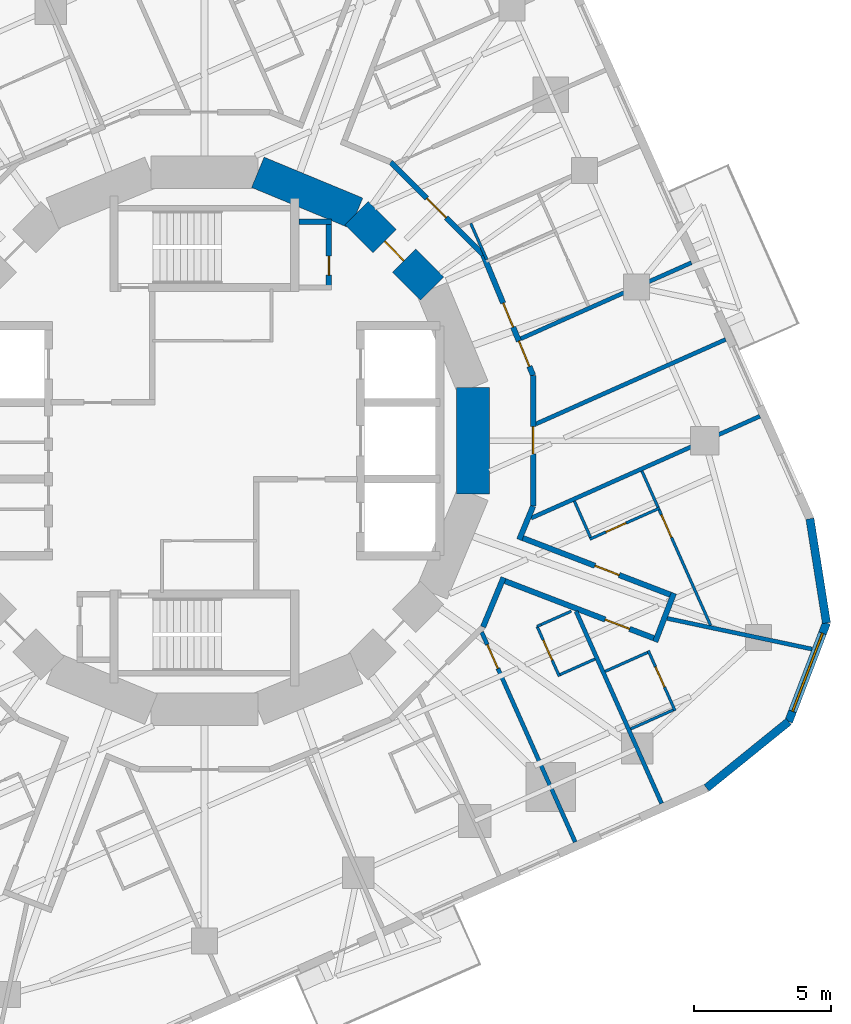
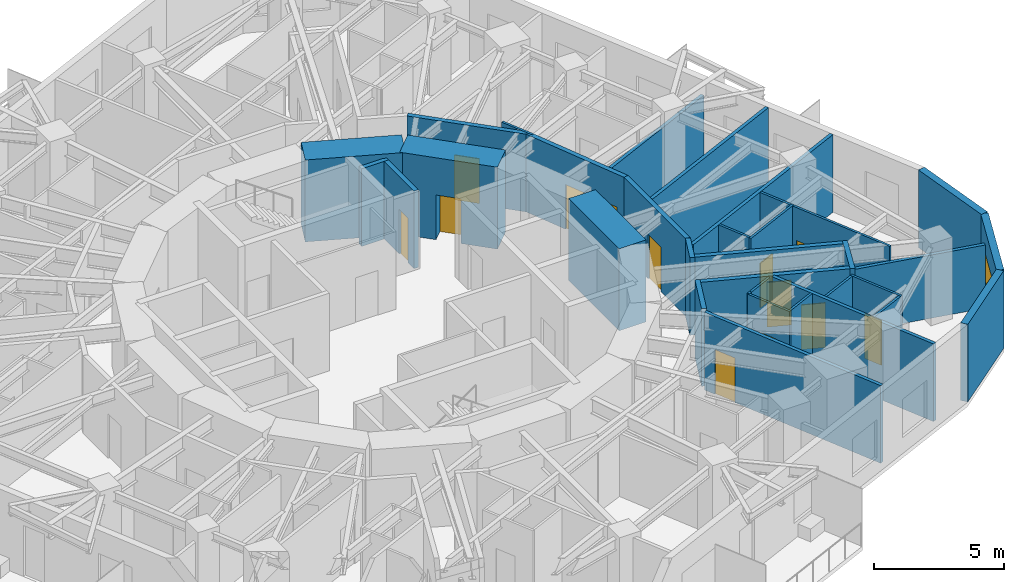
# One storey, part 8 of 12: 34 walls, 13 doors, 1 window, 14 openings.
"""IFC4 building model written with IfcOpenShell, lengths in metres."""

from ifc_helpers import new_model, si_unit, direction, frame, frame_2d, origin, place, context, subcontext, project, spatial, rectangle, extrude, material, layer, layer_set, type_object, element, fill, save


model = new_model("IFC4")

# Units and contexts
model_context = context("Model", 3, precision=1e-05, world=origin(), true_north=direction((0.0, 1.0)))
body_context = subcontext(model_context, "Body", "Model", "MODEL_VIEW")
ifc_project = project(units=[si_unit("LENGTHUNIT", "METRE"), si_unit("AREAUNIT", "SQUARE_METRE"), si_unit("VOLUMEUNIT", "CUBIC_METRE"), si_unit("PLANEANGLEUNIT", "RADIAN"), si_unit("MASSUNIT", "GRAM", prefix="KILO")], contexts=[model_context])

# Site, building, storey
site_placement = place(None, origin())
site = spatial("IfcSite", under=ifc_project, at=site_placement, CompositionType="ELEMENT")
building_placement = place(site_placement, origin())
building = spatial("IfcBuilding", under=site, at=building_placement, Name="Nakasero Lantern House", CompositionType="ELEMENT")
storey_placement = place(building_placement, frame((0.0, 0.0, 194.0)))
storey = spatial("IfcBuildingStorey", under=building, at=storey_placement, Name="L47", CompositionType="ELEMENT", Elevation=194.0)

# Wall, opening, door
ifc_material_1 = material(Name="Concrete C50/60", Category="concrete")
ifc_layer_1 = layer(ifc_material_1, 1.199951171875)
ifc_layer_set_1 = layer_set([ifc_layer_1], Name="Core wall 1200")
wall_type_1 = type_object("IfcWallType", Name="Core wall 1200", PredefinedType="SHEAR", material=ifc_layer_set_1)
wall_1_placement = place(storey_placement, frame((8.314697265625, 5.5556640625, 0.0), z_axis=(0.0, 0.0, 1.0), x_axis=(-0.707106781187, 0.707106781187, 0.0)))
wall_1 = element("IfcWall", 1, at=wall_1_placement, inside=storey, type_object=wall_type_1, Name="Core wall L47 facet 2", PredefinedType="SHEAR", context=body_context, shape_type="SweptSolid", body=[
    extrude(rectangle(XDim=3.90185546875, YDim=1.199951171875, at=frame_2d((1.950927734375, 0.0))), origin(), (0.0, 0.0, 1.0), 3.85009765625),
])
opening_1_placement = place(wall_1_placement, frame((1.450927734375, 0.0, 0.0)))
opening_1 = element("IfcOpeningElement", 2, at=opening_1_placement, cuts=wall_1, Name="Opening D05", PredefinedType="OPENING", context=body_context, shape_type="SweptSolid", body=[
    extrude(rectangle(XDim=1.0, YDim=2.10009765625, at=frame_2d((0.5, 1.050048828125))), frame((0.0, 0.619873046875, 0.0), z_axis=(0.0, -1.0, 0.0), x_axis=(1.0, 0.0, 0.0)), (0.0, 0.0, 1.0), 1.239990234375),
])
ifc_material_2 = material(Name="Timber C24", Category="wood")
door_type_1 = type_object("IfcDoorType", Name="Core door FD60S 1000", OperationType="SINGLE_SWING_LEFT", PredefinedType="DOOR", material=ifc_material_2)
door_1_placement = place(opening_1_placement, origin())
door_1 = element("IfcDoor", 3, at=door_1_placement, inside=storey, type_object=door_type_1, Name="Door L47 D-CORE02", OperationType="SINGLE_SWING_LEFT", OverallHeight=2.10009765625, OverallWidth=1.0, PredefinedType="DOOR", context=body_context, shape_type="SweptSolid", body=[
    extrude(rectangle(XDim=1.0, YDim=2.10009765625, at=frame_2d((0.5, 1.050048828125))), frame((0.0, 0.02490234375, 0.0), z_axis=(0.0, -1.0, 0.0), x_axis=(1.0, 0.0, 0.0)), (0.0, 0.0, 1.0), 0.050048828125),
])
fill(opening_1, door_1)

# Walls
for number, where, z_axis, x_axis, name in (
    (4, (5.5556640625, 8.314697265625, 0.0), (0.0, 0.0, 1.0), (-0.923876507187, 0.382690736062, 0.0), "Core wall L47 facet 3"),
    (5, (9.807861328125, -1.950927734375, 0.0), (0.0, 0.0, 1.0), (0.0, 1.0, 0.0), "Core wall L47 facet 16"),
):
    element("IfcWall", number, at=place(storey_placement, frame(where, z_axis=z_axis, x_axis=x_axis)), inside=storey, type_object=wall_type_1, Name=name, PredefinedType="SHEAR", context=body_context, shape_type="SweptSolid", body=[
        extrude(rectangle(XDim=3.90185546875, YDim=1.199951171875, at=frame_2d((1.950927734375, 0.0))), origin(), (0.0, 0.0, 1.0), 3.85009765625),
    ])

# Wall, opening, door
ifc_material_3 = material(Name="Blockwork", Category="masonry")
ifc_layer_2 = layer(ifc_material_3, 0.199951171875)
ifc_layer_set_2 = layer_set([ifc_layer_2], Name="Corridor wall 200")
wall_type_2 = type_object("IfcWallType", Name="Corridor wall 200", PredefinedType="PARTITIONING", material=ifc_layer_set_2)
wall_2_placement = place(storey_placement, frame((12.0078125, 2.388427734375, 0.0), z_axis=(0.0, 0.0, 1.0), x_axis=(0.0, -1.0, 0.0)))
wall_2 = element("IfcWall", 6, at=wall_2_placement, inside=storey, type_object=wall_type_2, Name="Corridor wall L47 RC00a", PredefinedType="PARTITIONING", context=body_context, shape_type="SweptSolid", body=[
    extrude(rectangle(XDim=4.77685546875, YDim=0.199951171875, at=frame_2d((2.388427734375, 0.0))), origin(), (0.0, 0.0, 1.0), 3.64990234375),
])
opening_2_placement = place(wall_2_placement, frame((1.8701171875, 0.0, 0.0)))
opening_2 = element("IfcOpeningElement", 7, at=opening_2_placement, cuts=wall_2, Name="Opening D03", PredefinedType="OPENING", context=body_context, shape_type="SweptSolid", body=[
    extrude(rectangle(XDim=1.0, YDim=2.10009765625, at=frame_2d((0.5, 1.050048828125))), frame((0.0, 0.119873046875, 0.0), z_axis=(0.0, -1.0, 0.0), x_axis=(1.0, 0.0, 0.0)), (0.0, 0.0, 1.0), 0.239990234375),
])
ifc_material_4 = material(Name="Timber C24", Category="wood")
door_type_2 = type_object("IfcDoorType", Name="Lounge door FD30S 1000", OperationType="SINGLE_SWING_LEFT", PredefinedType="DOOR", material=ifc_material_4)
door_2_placement = place(opening_2_placement, origin())
door_2 = element("IfcDoor", 8, at=door_2_placement, inside=storey, type_object=door_type_2, Name="Door L47 DK0", OperationType="SINGLE_SWING_LEFT", OverallHeight=2.10009765625, OverallWidth=1.0, PredefinedType="DOOR", context=body_context, shape_type="SweptSolid", body=[
    extrude(rectangle(XDim=1.0, YDim=2.10009765625, at=frame_2d((0.5, 1.050048828125))), frame((0.0, 0.02490234375, 0.0), z_axis=(0.0, -1.0, 0.0), x_axis=(1.0, 0.0, 0.0)), (0.0, 0.0, 1.0), 0.050048828125),
])
fill(opening_2, door_2)

# Walls
wall_3_placement = place(storey_placement, frame((12.0078125, -2.388427734375, 0.0), z_axis=(0.0, 0.0, 1.0), x_axis=(-0.382650385623, -0.923893220228, 0.0)))
element("IfcWall", 9, at=wall_3_placement, inside=storey, type_object=wall_type_2, Name="Corridor wall L47 RC01a", PredefinedType="PARTITIONING", context=body_context, shape_type="SweptSolid", body=[
    extrude(rectangle(XDim=1.323974609375, YDim=0.199951171875, at=frame_2d((0.662109375, 0.0))), origin(), (0.0, 0.0, 1.0), 3.64990234375),
])
wall_4_placement = place(storey_placement, frame((10.927001953125, -4.997802734375, 0.0), z_axis=(0.0, 0.0, 1.0), x_axis=(-0.382679353297, -0.923881222106, 0.0)))
element("IfcWall", 10, at=wall_4_placement, inside=storey, type_object=wall_type_2, Name="Corridor wall L47 RC01b", PredefinedType="PARTITIONING", context=body_context, shape_type="SweptSolid", body=[
    extrude(rectangle(XDim=1.952880859375, YDim=0.199951171875, at=frame_2d((0.9765625, 0.0))), origin(), (0.0, 0.0, 1.0), 3.64990234375),
])

# Wall, opening, door
wall_5_placement = place(storey_placement, frame((6.802001953125, 10.1796875, 0.0), z_axis=(0.0, 0.0, 1.0), x_axis=(0.707106781187, -0.707106781187, 0.0)))
wall_5 = element("IfcWall", 11, at=wall_5_placement, inside=storey, type_object=wall_type_2, Name="Corridor wall L47 RC14a", PredefinedType="PARTITIONING", context=body_context, shape_type="SweptSolid", body=[
    extrude(rectangle(XDim=4.77685546875, YDim=0.199951171875, at=frame_2d((2.388427734375, 0.0))), origin(), (0.0, 0.0, 1.0), 3.64990234375),
])
opening_3_placement = place(wall_5_placement, frame((1.8701171875, 0.0, 0.0)))
opening_3 = element("IfcOpeningElement", 12, at=opening_3_placement, cuts=wall_5, Name="Opening D14", PredefinedType="OPENING", context=body_context, shape_type="SweptSolid", body=[
    extrude(rectangle(XDim=1.0, YDim=2.10009765625, at=frame_2d((0.5, 1.050048828125))), frame((0.0, 0.119873046875, 0.0), z_axis=(0.0, -1.0, 0.0), x_axis=(1.0, 0.0, 0.0)), (0.0, 0.0, 1.0), 0.239990234375),
])
ifc_material_5 = material(Name="Timber C24", Category="wood")
door_type_3 = type_object("IfcDoorType", Name="Cluster entrance door FD30S 1000", OperationType="SINGLE_SWING_LEFT", PredefinedType="DOOR", material=ifc_material_5)
door_3_placement = place(opening_3_placement, origin())
door_3 = element("IfcDoor", 13, at=door_3_placement, inside=storey, type_object=door_type_3, Name="Door L47 D0-04", OperationType="SINGLE_SWING_LEFT", OverallHeight=2.10009765625, OverallWidth=1.0, PredefinedType="DOOR", context=body_context, shape_type="SweptSolid", body=[
    extrude(rectangle(XDim=1.0, YDim=2.10009765625, at=frame_2d((0.5, 1.050048828125))), frame((0.0, 0.02490234375, 0.0), z_axis=(0.0, -1.0, 0.0), x_axis=(1.0, 0.0, 0.0)), (0.0, 0.0, 1.0), 0.050048828125),
])
fill(opening_3, door_3)

# Wall, openings, doors
wall_6_placement = place(storey_placement, frame((10.1796875, 6.802001953125, 0.0), z_axis=(0.0, 0.0, 1.0), x_axis=(0.382676767893, -0.923882292998, 0.0)))
wall_6 = element("IfcWall", 14, at=wall_6_placement, inside=storey, type_object=wall_type_2, Name="Corridor wall L47 RC15a", PredefinedType="PARTITIONING", context=body_context, shape_type="SweptSolid", body=[
    extrude(rectangle(XDim=4.777099609375, YDim=0.199951171875, at=frame_2d((2.388671875, 0.0))), origin(), (0.0, 0.0, 1.0), 3.64990234375),
])
opening_4_placement = place(wall_6_placement, frame((1.919921875, 0.0, 0.0)))
opening_4 = element("IfcOpeningElement", 15, at=opening_4_placement, cuts=wall_6, Name="Opening D01", PredefinedType="OPENING", context=body_context, shape_type="SweptSolid", body=[
    extrude(rectangle(XDim=0.949951171875, YDim=2.10009765625, at=frame_2d((0.47509765625, 1.050048828125))), frame((0.0, 0.119873046875, 0.0), z_axis=(0.0, -1.0, 0.0), x_axis=(1.0, 0.0, 0.0)), (0.0, 0.0, 1.0), 0.239990234375),
])
opening_5_placement = place(wall_6_placement, frame((3.419921875, 0.0, 0.0)))
opening_5 = element("IfcOpeningElement", 16, at=opening_5_placement, cuts=wall_6, Name="Opening D03", PredefinedType="OPENING", context=body_context, shape_type="SweptSolid", body=[
    extrude(rectangle(XDim=1.0, YDim=2.10009765625, at=frame_2d((0.5, 1.050048828125))), frame((0.0, 0.119873046875, 0.0), z_axis=(0.0, -1.0, 0.0), x_axis=(1.0, 0.0, 0.0)), (0.0, 0.0, 1.0), 0.239990234375),
])
ifc_material_6 = material(Name="Timber C24", Category="wood")
door_type_4 = type_object("IfcDoorType", Name="Bedroom door FD30S 950", OperationType="SINGLE_SWING_LEFT", PredefinedType="DOOR", material=ifc_material_6)
door_4_placement = place(opening_4_placement, origin())
door_4 = element("IfcDoor", 17, at=door_4_placement, inside=storey, type_object=door_type_4, Name="Door L47 D0-03", OperationType="SINGLE_SWING_RIGHT", OverallHeight=2.10009765625, OverallWidth=0.949951171875, PredefinedType="DOOR", context=body_context, shape_type="SweptSolid", body=[
    extrude(rectangle(XDim=0.949951171875, YDim=2.10009765625, at=frame_2d((0.47509765625, 1.050048828125))), frame((0.0, 0.02490234375, 0.0), z_axis=(0.0, -1.0, 0.0), x_axis=(1.0, 0.0, 0.0)), (0.0, 0.0, 1.0), 0.050048828125),
])
fill(opening_4, door_4)
door_5_placement = place(opening_5_placement, origin())
door_5 = element("IfcDoor", 18, at=door_5_placement, inside=storey, type_object=door_type_2, Name="Door L47 DK0-1", OperationType="SINGLE_SWING_RIGHT", OverallHeight=2.10009765625, OverallWidth=1.0, PredefinedType="DOOR", context=body_context, shape_type="SweptSolid", body=[
    extrude(rectangle(XDim=1.0, YDim=2.10009765625, at=frame_2d((0.5, 1.050048828125))), frame((0.0, 0.02490234375, 0.0), z_axis=(0.0, -1.0, 0.0), x_axis=(1.0, 0.0, 0.0)), (0.0, 0.0, 1.0), 0.050048828125),
])
fill(opening_5, door_5)

# Wall, opening, door
wall_7_placement = place(storey_placement, frame((10.888671875, -5.09033203125, 0.0), z_axis=(0.0, 0.0, 1.0), x_axis=(0.933587089798, -0.35835059057, 0.0)))
wall_7 = element("IfcWall", 19, at=wall_7_placement, inside=storey, type_object=wall_type_2, Name="Corridor wall L47 SP3a", PredefinedType="PARTITIONING", context=body_context, shape_type="SweptSolid", body=[
    extrude(rectangle(XDim=6.117919921875, YDim=0.199951171875, at=frame_2d((3.05908203125, 0.0))), origin(), (0.0, 0.0, 1.0), 3.64990234375),
])
opening_6_placement = place(wall_7_placement, frame((4.02001953125, 0.0, 0.0)))
opening_6 = element("IfcOpeningElement", 20, at=opening_6_placement, cuts=wall_7, Name="Opening D01", PredefinedType="OPENING", context=body_context, shape_type="SweptSolid", body=[
    extrude(rectangle(XDim=0.949951171875, YDim=2.10009765625, at=frame_2d((0.47509765625, 1.050048828125))), frame((0.0, 0.119873046875, 0.0), z_axis=(0.0, -1.0, 0.0), x_axis=(1.0, 0.0, 0.0)), (0.0, 0.0, 1.0), 0.239990234375),
])
door_6_placement = place(opening_6_placement, origin())
door_6 = element("IfcDoor", 21, at=door_6_placement, inside=storey, type_object=door_type_4, Name="Door L47 D3-06", OperationType="SINGLE_SWING_RIGHT", OverallHeight=2.10009765625, OverallWidth=0.949951171875, PredefinedType="DOOR", context=body_context, shape_type="SweptSolid", body=[
    extrude(rectangle(XDim=0.949951171875, YDim=2.10009765625, at=frame_2d((0.47509765625, 1.050048828125))), frame((0.0, 0.02490234375, 0.0), z_axis=(0.0, -1.0, 0.0), x_axis=(1.0, 0.0, 0.0)), (0.0, 0.0, 1.0), 0.050048828125),
])
fill(opening_6, door_6)

wall_8_placement = place(storey_placement, frame((11.53955078125, -3.51904296875, 0.0), z_axis=(0.0, 0.0, 1.0), x_axis=(0.93357023507, -0.358394497993, 0.0)))
wall_8 = element("IfcWall", 22, at=wall_8_placement, inside=storey, type_object=wall_type_2, Name="Corridor wall L47 SP3b", PredefinedType="PARTITIONING", context=body_context, shape_type="SweptSolid", body=[
    extrude(rectangle(XDim=6.07373046875, YDim=0.199951171875, at=frame_2d((3.036865234375, 0.0))), origin(), (0.0, 0.0, 1.0), 3.64990234375),
])
opening_7_placement = place(wall_8_placement, frame((2.919921875, 0.0, 0.0)))
opening_7 = element("IfcOpeningElement", 23, at=opening_7_placement, cuts=wall_8, Name="Opening D01", PredefinedType="OPENING", context=body_context, shape_type="SweptSolid", body=[
    extrude(rectangle(XDim=0.949951171875, YDim=2.10009765625, at=frame_2d((0.47509765625, 1.050048828125))), frame((0.0, 0.119873046875, 0.0), z_axis=(0.0, -1.0, 0.0), x_axis=(1.0, 0.0, 0.0)), (0.0, 0.0, 1.0), 0.239990234375),
])
door_7_placement = place(opening_7_placement, origin())
door_7 = element("IfcDoor", 24, at=door_7_placement, inside=storey, type_object=door_type_4, Name="Door L47 D0-00", OperationType="SINGLE_SWING_RIGHT", OverallHeight=2.10009765625, OverallWidth=0.949951171875, PredefinedType="DOOR", context=body_context, shape_type="SweptSolid", body=[
    extrude(rectangle(XDim=0.949951171875, YDim=2.10009765625, at=frame_2d((0.47509765625, 1.050048828125))), frame((0.0, 0.02490234375, 0.0), z_axis=(0.0, -1.0, 0.0), x_axis=(1.0, 0.0, 0.0)), (0.0, 0.0, 1.0), 0.050048828125),
])
fill(opening_7, door_7)

# Wall
wall_9_placement = place(storey_placement, frame((16.47119140625, -7.34033203125, 0.0), z_axis=(0.0, 0.0, 1.0), x_axis=(0.3583504709, 0.933587135733, 0.0)))
element("IfcWall", 25, at=wall_9_placement, inside=storey, type_object=wall_type_2, Name="Corridor wall L47 SP3e", PredefinedType="PARTITIONING", context=body_context, shape_type="SweptSolid", body=[
    extrude(rectangle(XDim=1.900146484375, YDim=0.199951171875, at=frame_2d((0.9501953125, 0.0))), origin(), (0.0, 0.0, 1.0), 3.64990234375),
])

# Wall, opening, door
ifc_material_7 = material(Name="Blockwork", Category="masonry")
ifc_layer_3 = layer(ifc_material_7, 0.10009765625)
ifc_layer_set_3 = layer_set([ifc_layer_3], Name="En-suite wall 100")
wall_type_3 = type_object("IfcWallType", Name="En-suite wall 100", PredefinedType="PARTITIONING", material=ifc_layer_set_3)
wall_10_placement = place(storey_placement, frame((14.079345703125, -3.594482421875, 0.0), z_axis=(0.0, 0.0, 1.0), x_axis=(0.913534471978, 0.406761316386, 0.0)))
wall_10 = element("IfcWall", 26, at=wall_10_placement, inside=storey, type_object=wall_type_3, Name="En-suite wall L47 ES0-00", PredefinedType="PARTITIONING", context=body_context, shape_type="SweptSolid", body=[
    extrude(rectangle(XDim=2.800048828125, YDim=0.10009765625, at=frame_2d((1.39990234375, 0.0))), origin(), (0.0, 0.0, 1.0), 3.64990234375),
])
opening_8_placement = place(wall_10_placement, frame((0.64990234375, 0.0, 0.0)))
opening_8 = element("IfcOpeningElement", 27, at=opening_8_placement, cuts=wall_10, Name="Opening D02", PredefinedType="OPENING", context=body_context, shape_type="SweptSolid", body=[
    extrude(rectangle(XDim=0.800048828125, YDim=2.10009765625, at=frame_2d((0.39990234375, 1.050048828125))), frame((0.0, 0.070068359375, 0.0), z_axis=(0.0, -1.0, 0.0), x_axis=(1.0, 0.0, 0.0)), (0.0, 0.0, 1.0), 0.14013671875),
])
ifc_material_8 = material(Name="Timber C24", Category="wood")
door_type_5 = type_object("IfcDoorType", Name="En-suite door 800", OperationType="SINGLE_SWING_RIGHT", PredefinedType="DOOR", material=ifc_material_8)
door_8_placement = place(opening_8_placement, origin())
door_8 = element("IfcDoor", 28, at=door_8_placement, inside=storey, type_object=door_type_5, Name="Door L47 DE0-00", OperationType="SINGLE_SWING_LEFT", OverallHeight=2.10009765625, OverallWidth=0.800048828125, PredefinedType="DOOR", context=body_context, shape_type="SweptSolid", body=[
    extrude(rectangle(XDim=0.800048828125, YDim=2.10009765625, at=frame_2d((0.39990234375, 1.050048828125))), frame((0.0, 0.02490234375, 0.0), z_axis=(0.0, -1.0, 0.0), x_axis=(1.0, 0.0, 0.0)), (0.0, 0.0, 1.0), 0.050048828125),
])
fill(opening_8, door_8)

# Walls
for number, where, z_axis, x_axis, name in (
    (29, (16.571044921875, -2.430419921875, 0.0), (0.0, 0.0, 1.0), (-0.406622700638, 0.91359617957, 0.0), "En-suite wall L47 EE0-00"),
    (30, (14.1044921875, -3.528564453125, 0.0), (0.0, 0.0, 1.0), (-0.406622700638, 0.91359617957, 0.0), "En-suite wall L47 EI0-00"),
):
    element("IfcWall", number, at=place(storey_placement, frame(where, z_axis=z_axis, x_axis=x_axis)), inside=storey, type_object=wall_type_3, Name=name, PredefinedType="PARTITIONING", context=body_context, shape_type="SweptSolid", body=[
        extrude(rectangle(XDim=1.449951171875, YDim=0.10009765625, at=frame_2d((0.72509765625, 0.0))), origin(), (0.0, 0.0, 1.0), 3.64990234375),
    ])
wall_11_placement = place(storey_placement, frame((10.31787109375, 6.615966796875, 0.0), z_axis=(0.0, 0.0, 1.0), x_axis=(-0.406763220732, 0.913533624044, 0.0)))
element("IfcWall", 31, at=wall_11_placement, inside=storey, type_object=wall_type_3, Name="En-suite wall L47 EI0-03", PredefinedType="PARTITIONING", context=body_context, shape_type="SweptSolid", body=[
    extrude(rectangle(XDim=1.4501953125, YDim=0.10009765625, at=frame_2d((0.72509765625, 0.0))), origin(), (0.0, 0.0, 1.0), 3.64990234375),
])

# Wall, opening, door
wall_12_placement = place(storey_placement, frame((12.153564453125, -6.78125, 0.0), z_axis=(0.0, 0.0, 1.0), x_axis=(0.406772684097, -0.913529410294, 0.0)))
wall_12 = element("IfcWall", 32, at=wall_12_placement, inside=storey, type_object=wall_type_3, Name="En-suite wall L47 ES3-05", PredefinedType="PARTITIONING", context=body_context, shape_type="SweptSolid", body=[
    extrude(rectangle(XDim=1.999755859375, YDim=0.10009765625, at=frame_2d((1.0, 0.0))), origin(), (0.0, 0.0, 1.0), 3.64990234375),
])
opening_9_placement = place(wall_12_placement, frame((0.550048828125, 0.0, 0.0)))
opening_9 = element("IfcOpeningElement", 33, at=opening_9_placement, cuts=wall_12, Name="Opening D02", PredefinedType="OPENING", context=body_context, shape_type="SweptSolid", body=[
    extrude(rectangle(XDim=0.800048828125, YDim=2.10009765625, at=frame_2d((0.39990234375, 1.050048828125))), frame((0.0, 0.070068359375, 0.0), z_axis=(0.0, -1.0, 0.0), x_axis=(1.0, 0.0, 0.0)), (0.0, 0.0, 1.0), 0.14013671875),
])
door_9_placement = place(opening_9_placement, origin())
door_9 = element("IfcDoor", 34, at=door_9_placement, inside=storey, type_object=door_type_5, Name="Door L47 DE3-05", OperationType="SINGLE_SWING_LEFT", OverallHeight=2.10009765625, OverallWidth=0.800048828125, PredefinedType="DOOR", context=body_context, shape_type="SweptSolid", body=[
    extrude(rectangle(XDim=0.800048828125, YDim=2.10009765625, at=frame_2d((0.39990234375, 1.050048828125))), frame((0.0, 0.02490234375, 0.0), z_axis=(0.0, -1.0, 0.0), x_axis=(1.0, 0.0, 0.0)), (0.0, 0.0, 1.0), 0.050048828125),
])
fill(opening_9, door_9)

# Wall
wall_13_placement = place(storey_placement, frame((12.992431640625, -8.542236328125, 0.0), z_axis=(0.0, 0.0, 1.0), x_axis=(0.913487636581, 0.406866486472, 0.0)))
element("IfcWall", 35, at=wall_13_placement, inside=storey, type_object=wall_type_3, Name="En-suite wall L47 EE3-05", PredefinedType="PARTITIONING", context=body_context, shape_type="SweptSolid", body=[
    extrude(rectangle(XDim=1.39990234375, YDim=0.10009765625, at=frame_2d((0.699951171875, 0.0))), origin(), (0.0, 0.0, 1.0), 3.64990234375),
])

# Wall, opening, door
wall_14_placement = place(storey_placement, frame((16.215087890625, -7.66748046875, 0.0), z_axis=(0.0, 0.0, 1.0), x_axis=(0.40677069889, -0.913530294257, 0.0)))
wall_14 = element("IfcWall", 36, at=wall_14_placement, inside=storey, type_object=wall_type_3, Name="En-suite wall L47 ES3-06", PredefinedType="PARTITIONING", context=body_context, shape_type="SweptSolid", body=[
    extrude(rectangle(XDim=2.400146484375, YDim=0.10009765625, at=frame_2d((1.2001953125, 0.0))), origin(), (0.0, 0.0, 1.0), 3.64990234375),
])
opening_10_placement = place(wall_14_placement, frame((0.64990234375, 0.0, 0.0)))
opening_10 = element("IfcOpeningElement", 37, at=opening_10_placement, cuts=wall_14, Name="Opening D02", PredefinedType="OPENING", context=body_context, shape_type="SweptSolid", body=[
    extrude(rectangle(XDim=0.800048828125, YDim=2.10009765625, at=frame_2d((0.39990234375, 1.050048828125))), frame((0.0, 0.070068359375, 0.0), z_axis=(0.0, -1.0, 0.0), x_axis=(1.0, 0.0, 0.0)), (0.0, 0.0, 1.0), 0.14013671875),
])
door_10_placement = place(opening_10_placement, origin())
door_10 = element("IfcDoor", 38, at=door_10_placement, inside=storey, type_object=door_type_5, Name="Door L47 DE3-06", OperationType="SINGLE_SWING_LEFT", OverallHeight=2.10009765625, OverallWidth=0.800048828125, PredefinedType="DOOR", context=body_context, shape_type="SweptSolid", body=[
    extrude(rectangle(XDim=0.800048828125, YDim=2.10009765625, at=frame_2d((0.39990234375, 1.050048828125))), frame((0.0, 0.02490234375, 0.0), z_axis=(0.0, -1.0, 0.0), x_axis=(1.0, 0.0, 0.0)), (0.0, 0.0, 1.0), 0.050048828125),
])
fill(opening_10, door_10)

# Walls
wall_15_placement = place(storey_placement, frame((15.572265625, -10.526123046875, 0.0), z_axis=(0.0, 0.0, 1.0), x_axis=(0.913550776237, 0.406724697108, 0.0)))
element("IfcWall", 39, at=wall_15_placement, inside=storey, type_object=wall_type_3, Name="En-suite wall L47 EE3-06", PredefinedType="PARTITIONING", context=body_context, shape_type="SweptSolid", body=[
    extrude(rectangle(XDim=1.699951171875, YDim=0.10009765625, at=frame_2d((0.85009765625, 0.0))), origin(), (0.0, 0.0, 1.0), 3.64990234375),
])
wall_16_placement = place(storey_placement, frame((14.63671875, -8.425048828125, 0.0), z_axis=(0.0, 0.0, 1.0), x_axis=(0.91357452948, 0.406671340378, 0.0)))
element("IfcWall", 40, at=wall_16_placement, inside=storey, type_object=wall_type_3, Name="En-suite wall L47 EI3-06", PredefinedType="PARTITIONING", context=body_context, shape_type="SweptSolid", body=[
    extrude(rectangle(XDim=1.7001953125, YDim=0.10009765625, at=frame_2d((0.85009765625, 0.0))), origin(), (0.0, 0.0, 1.0), 3.64990234375),
])

# Wall, opening, door
wall_17_placement = place(storey_placement, frame((18.494140625, -6.749267578125, 0.0), z_axis=(0.0, 0.0, 1.0), x_axis=(-0.406755138931, 0.913537222533, 0.0)))
wall_17 = element("IfcWall", 41, at=wall_17_placement, inside=storey, type_object=wall_type_3, Name="En-suite wall L47 EL0-00", PredefinedType="PARTITIONING", context=body_context, shape_type="SweptSolid", body=[
    extrude(rectangle(XDim=4.627685546875, YDim=0.10009765625, at=frame_2d((2.31396484375, 0.0))), origin(), (0.0, 0.0, 1.0), 3.64990234375),
])
opening_11_placement = place(wall_17_placement, frame((3.527587890625, 0.0, 0.0)))
opening_11 = element("IfcOpeningElement", 42, at=opening_11_placement, cuts=wall_17, Name="Opening D17", PredefinedType="OPENING", context=body_context, shape_type="SweptSolid", body=[
    extrude(rectangle(XDim=0.89990234375, YDim=2.10009765625, at=frame_2d((0.449951171875, 1.050048828125))), frame((0.0, 0.070068359375, 0.0), z_axis=(0.0, -1.0, 0.0), x_axis=(1.0, 0.0, 0.0)), (0.0, 0.0, 1.0), 0.14013671875),
])
ifc_material_9 = material(Name="Timber C24", Category="wood")
door_type_6 = type_object("IfcDoorType", Name="Bedroom door FD30S 900", OperationType="SINGLE_SWING_LEFT", PredefinedType="DOOR", material=ifc_material_9)
door_11_placement = place(opening_11_placement, origin())
door_11 = element("IfcDoor", 43, at=door_11_placement, inside=storey, type_object=door_type_6, Name="Door L47 DL0-00", OperationType="SINGLE_SWING_RIGHT", OverallHeight=2.10009765625, OverallWidth=0.89990234375, PredefinedType="DOOR", context=body_context, shape_type="SweptSolid", body=[
    extrude(rectangle(XDim=0.89990234375, YDim=2.10009765625, at=frame_2d((0.449951171875, 1.050048828125))), frame((0.0, 0.02490234375, 0.0), z_axis=(0.0, -1.0, 0.0), x_axis=(1.0, 0.0, 0.0)), (0.0, 0.0, 1.0), 0.050048828125),
])
fill(opening_11, door_11)

# Walls
wall_18_placement = place(storey_placement, frame((13.400634765625, -6.225830078125, 0.0), z_axis=(0.0, 0.0, 1.0), x_axis=(-0.913544055495, -0.406739792336, 0.0)))
element("IfcWall", 44, at=wall_18_placement, inside=storey, type_object=wall_type_3, Name="En-suite wall L47 EX003", PredefinedType="PARTITIONING", context=body_context, shape_type="SweptSolid", body=[
    extrude(rectangle(XDim=1.205322265625, YDim=0.10009765625, at=frame_2d((0.6025390625, 0.0))), origin(), (0.0, 0.0, 1.0), 3.64990234375),
])
wall_19_placement = place(storey_placement, frame((12.153564453125, -6.78125, 0.0), z_axis=(0.0, 0.0, 1.0), x_axis=(0.913117581485, 0.407696311466, 0.0)))
element("IfcWall", 45, at=wall_19_placement, inside=storey, type_object=wall_type_3, Name="En-suite wall L47 ES3-05R0", PredefinedType="PARTITIONING", context=body_context, shape_type="SweptSolid", body=[
    extrude(rectangle(XDim=0.159912109375, YDim=0.10009765625, at=frame_2d((0.080078125, 0.0))), origin(), (0.0, 0.0, 1.0), 3.64990234375),
])
ifc_material_10 = material(Name="Aluminium rainscreen on blockwork", Category="masonry")
ifc_layer_4 = layer(ifc_material_10, 0.300048828125)
ifc_layer_set_4 = layer_set([ifc_layer_4], Name="Facade wall 300")
wall_type_4 = type_object("IfcWallType", Name="Facade wall 300", PredefinedType="SOLIDWALL", material=ifc_layer_set_4)
wall_20_placement = place(storey_placement, frame((18.345458984375, -12.684814453125, 0.0), z_axis=(0.0, 0.0, 1.0), x_axis=(0.777174099125, 0.629285642335, 0.0)))
element("IfcWall", 46, at=wall_20_placement, inside=storey, type_object=wall_type_4, Name="Facade wall L47 FW3C1", PredefinedType="SOLIDWALL", context=body_context, shape_type="SweptSolid", body=[
    extrude(rectangle(XDim=3.8564453125, YDim=0.300048828125, at=frame_2d((1.92822265625, 0.0))), origin(), (0.0, 0.0, 1.0), 3.64990234375),
])

# Wall, opening, window
wall_21_placement = place(storey_placement, frame((21.342529296875, -10.258056640625, 0.0), z_axis=(0.0, 0.0, 1.0), x_axis=(0.358321438858, 0.933598278948, 0.0)))
wall_21 = element("IfcWall", 47, at=wall_21_placement, inside=storey, type_object=wall_type_4, Name="Facade wall L47 FW3C2", PredefinedType="SOLIDWALL", context=body_context, shape_type="SweptSolid", body=[
    extrude(rectangle(XDim=3.8564453125, YDim=0.300048828125, at=frame_2d((1.92822265625, 0.0))), origin(), (0.0, 0.0, 1.0), 3.64990234375),
])
opening_12_placement = place(wall_21_placement, frame((0.39990234375, 0.0, 0.75)))
opening_12 = element("IfcOpeningElement", 48, at=opening_12_placement, cuts=wall_21, Name="Opening W230", PredefinedType="OPENING", context=body_context, shape_type="SweptSolid", body=[
    extrude(rectangle(XDim=3.055908203125, YDim=1.800048828125, at=frame_2d((1.52783203125, 0.89990234375))), frame((0.0, 0.169921875, 0.0), z_axis=(0.0, -1.0, 0.0), x_axis=(1.0, 0.0, 0.0)), (0.0, 0.0, 1.0), 0.340087890625),
])
ifc_material_11 = material(Name="Aluminium 6063-T6 and glass", Category="aluminium")
window_type = type_object("IfcWindowType", Name="Corner window 3056x1800", PartitioningType="SINGLE_PANEL", PredefinedType="WINDOW", material=ifc_material_11)
window_placement = place(opening_12_placement, origin())
window = element("IfcWindow", 49, at=window_placement, inside=storey, type_object=window_type, Name="Window L47 WC3", OverallHeight=1.800048828125, OverallWidth=3.055908203125, PartitioningType="SINGLE_PANEL", PredefinedType="WINDOW", context=body_context, shape_type="SweptSolid", body=[
    extrude(rectangle(XDim=3.055908203125, YDim=1.800048828125, at=frame_2d((1.52783203125, 0.89990234375))), frame((0.0, 0.030029296875, 0.0), z_axis=(0.0, -1.0, 0.0), x_axis=(1.0, 0.0, 0.0)), (0.0, 0.0, 1.0), 0.06005859375),
])
fill(opening_12, window)

# Wall
wall_22_placement = place(storey_placement, frame((22.724365234375, -6.65771484375, 0.0), z_axis=(0.0, 0.0, 1.0), x_axis=(-0.156437203878, 0.987687906802, 0.0)))
element("IfcWall", 50, at=wall_22_placement, inside=storey, type_object=wall_type_4, Name="Facade wall L47 FW3C3", PredefinedType="SOLIDWALL", context=body_context, shape_type="SweptSolid", body=[
    extrude(rectangle(XDim=3.856201171875, YDim=0.300048828125, at=frame_2d((1.92822265625, 0.0))), origin(), (0.0, 0.0, 1.0), 3.64990234375),
])

# Wall, opening, door
ifc_material_12 = material(Name="Blockwork", Category="masonry")
ifc_layer_5 = layer(ifc_material_12, 0.199951171875)
ifc_layer_set_5 = layer_set([ifc_layer_5], Name="Fire lobby wall 200")
wall_type_5 = type_object("IfcWallType", Name="Fire lobby wall 200", PredefinedType="PARTITIONING", material=ifc_layer_set_5)
wall_23_placement = place(storey_placement, frame((4.550048828125, 5.60009765625, 0.0), z_axis=(0.0, 0.0, 1.0), x_axis=(0.0, 1.0, 0.0)))
wall_23 = element("IfcWall", 51, at=wall_23_placement, inside=storey, type_object=wall_type_5, Name="Fire lobby wall L47 W-RS1E", PredefinedType="PARTITIONING", context=body_context, shape_type="SweptSolid", body=[
    extrude(rectangle(XDim=2.39990234375, YDim=0.199951171875, at=frame_2d((1.199951171875, 0.0))), origin(), (0.0, 0.0, 1.0), 3.64990234375),
])
opening_13_placement = place(wall_23_placement, frame((0.449951171875, 0.0, 0.0)))
opening_13 = element("IfcOpeningElement", 52, at=opening_13_placement, cuts=wall_23, Name="Opening D06", PredefinedType="OPENING", context=body_context, shape_type="SweptSolid", body=[
    extrude(rectangle(XDim=0.699951171875, YDim=2.10009765625, at=frame_2d((0.35009765625, 1.050048828125))), frame((0.0, 0.119873046875, 0.0), z_axis=(0.0, -1.0, 0.0), x_axis=(1.0, 0.0, 0.0)), (0.0, 0.0, 1.0), 0.239990234375),
])
ifc_material_13 = material(Name="Steel S355", Category="steel")
door_type_7 = type_object("IfcDoorType", Name="Riser door FD60 700", OperationType="SINGLE_SWING_LEFT", PredefinedType="DOOR", material=ifc_material_13)
door_12_placement = place(opening_13_placement, origin())
door_12 = element("IfcDoor", 53, at=door_12_placement, inside=storey, type_object=door_type_7, Name="Door L47 D-RS1", OperationType="SINGLE_SWING_LEFT", OverallHeight=2.10009765625, OverallWidth=0.699951171875, PredefinedType="DOOR", context=body_context, shape_type="SweptSolid", body=[
    extrude(rectangle(XDim=0.699951171875, YDim=2.10009765625, at=frame_2d((0.35009765625, 1.050048828125))), frame((0.0, 0.02490234375, 0.0), z_axis=(0.0, -1.0, 0.0), x_axis=(1.0, 0.0, 0.0)), (0.0, 0.0, 1.0), 0.050048828125),
])
fill(opening_13, door_12)

# Walls
wall_24_placement = place(storey_placement, frame((3.449951171875, 8.0, 0.0), z_axis=(0.0, 0.0, 1.0), x_axis=(1.0, 0.0, 0.0)))
element("IfcWall", 54, at=wall_24_placement, inside=storey, type_object=wall_type_5, Name="Fire lobby wall L47 W-RS1N", PredefinedType="PARTITIONING", context=body_context, shape_type="SweptSolid", body=[
    extrude(rectangle(XDim=1.199951171875, YDim=0.199951171875, at=frame_2d((0.60009765625, 0.0))), origin(), (0.0, 0.0, 1.0), 3.64990234375),
])
ifc_material_14 = material(Name="Blockwork", Category="masonry")
ifc_layer_6 = layer(ifc_material_14, 0.14990234375)
ifc_layer_set_6 = layer_set([ifc_layer_6], Name="Party wall 150")
wall_type_6 = type_object("IfcWallType", Name="Party wall 150", PredefinedType="PARTITIONING", material=ifc_layer_set_6)
wall_25_placement = place(storey_placement, frame((11.935302734375, -2.824951171875, 0.0), z_axis=(0.0, 0.0, 1.0), x_axis=(0.91355156837, 0.40672291788, 0.0)))
element("IfcWall", 55, at=wall_25_placement, inside=storey, type_object=wall_type_6, Name="Party wall L47 PW0-01", PredefinedType="PARTITIONING", context=body_context, shape_type="SweptSolid", body=[
    extrude(rectangle(XDim=9.1455078125, YDim=0.14990234375, at=frame_2d((4.57275390625, 0.0))), origin(), (0.0, 0.0, 1.0), 3.64990234375),
])
wall_26_placement = place(storey_placement, frame((12.10791015625, 0.61376953125, 0.0), z_axis=(0.0, 0.0, 1.0), x_axis=(0.913552679772, 0.406720421521, 0.0)))
element("IfcWall", 56, at=wall_26_placement, inside=storey, type_object=wall_type_6, Name="Party wall L47 PW0-02", PredefinedType="PARTITIONING", context=body_context, shape_type="SweptSolid", body=[
    extrude(rectangle(XDim=7.589111328125, YDim=0.14990234375, at=frame_2d((3.79443359375, 0.0))), origin(), (0.0, 0.0, 1.0), 3.64990234375),
])
wall_27_placement = place(storey_placement, frame((11.559814453125, 3.7314453125, 0.0), z_axis=(0.0, 0.0, 1.0), x_axis=(0.913544226514, 0.406739408224, 0.0)))
element("IfcWall", 57, at=wall_27_placement, inside=storey, type_object=wall_type_6, Name="Party wall L47 PW0-03", PredefinedType="PARTITIONING", context=body_context, shape_type="SweptSolid", body=[
    extrude(rectangle(XDim=6.82177734375, YDim=0.14990234375, at=frame_2d((3.410888671875, 0.0))), origin(), (0.0, 0.0, 1.0), 2.966552734375),
])

# Wall, opening, door
wall_28_placement = place(storey_placement, frame((10.130615234375, -6.99267578125, 0.0), z_axis=(0.0, 0.0, 1.0), x_axis=(0.406732255089, -0.913547411288, 0.0)))
wall_28 = element("IfcWall", 58, at=wall_28_placement, inside=storey, type_object=wall_type_6, Name="Party wall L47 PW3-05", PredefinedType="PARTITIONING", context=body_context, shape_type="SweptSolid", body=[
    extrude(rectangle(XDim=8.3916015625, YDim=0.14990234375, at=frame_2d((4.19580078125, 0.0))), origin(), (0.0, 0.0, 1.0), 3.64990234375),
])
opening_14_placement = place(wall_28_placement, frame((0.5, 0.0, 0.0)))
opening_14 = element("IfcOpeningElement", 59, at=opening_14_placement, cuts=wall_28, Name="Opening D01", PredefinedType="OPENING", context=body_context, shape_type="SweptSolid", body=[
    extrude(rectangle(XDim=0.949951171875, YDim=2.10009765625, at=frame_2d((0.47509765625, 1.050048828125))), frame((0.0, 0.094970703125, 0.0), z_axis=(0.0, -1.0, 0.0), x_axis=(1.0, 0.0, 0.0)), (0.0, 0.0, 1.0), 0.18994140625),
])
door_13_placement = place(opening_14_placement, origin())
door_13 = element("IfcDoor", 60, at=door_13_placement, inside=storey, type_object=door_type_4, Name="Door L47 DS3-05", OperationType="SINGLE_SWING_LEFT", OverallHeight=2.10009765625, OverallWidth=0.949951171875, PredefinedType="DOOR", context=body_context, shape_type="SweptSolid", body=[
    extrude(rectangle(XDim=0.949951171875, YDim=2.10009765625, at=frame_2d((0.47509765625, 1.050048828125))), frame((0.0, 0.02490234375, 0.0), z_axis=(0.0, -1.0, 0.0), x_axis=(1.0, 0.0, 0.0)), (0.0, 0.0, 1.0), 0.050048828125),
])
fill(opening_14, door_13)

# Walls
wall_29_placement = place(storey_placement, frame((13.5771484375, -6.2294921875, 0.0), z_axis=(0.0, 0.0, 1.0), x_axis=(0.406733656408, -0.913546787387, 0.0)))
element("IfcWall", 61, at=wall_29_placement, inside=storey, type_object=wall_type_6, Name="Party wall L47 PW3-06", PredefinedType="PARTITIONING", context=body_context, shape_type="SweptSolid", body=[
    extrude(rectangle(XDim=7.686767578125, YDim=0.14990234375, at=frame_2d((3.84326171875, 0.0))), origin(), (0.0, 0.0, 1.0), 3.64990234375),
])
wall_30_placement = place(storey_placement, frame((16.905029296875, -6.4892578125, 0.0), z_axis=(0.0, 0.0, 1.0), x_axis=(0.97828299633, -0.207273681618, 0.0)))
element("IfcWall", 62, at=wall_30_placement, inside=storey, type_object=wall_type_6, Name="Party wall L47 PW0-00", PredefinedType="PARTITIONING", context=body_context, shape_type="SweptSolid", body=[
    extrude(rectangle(XDim=5.4052734375, YDim=0.14990234375, at=frame_2d((2.70263671875, 0.0))), origin(), (0.0, 0.0, 1.0), 2.966552734375),
])

save(model, "model.ifc")
